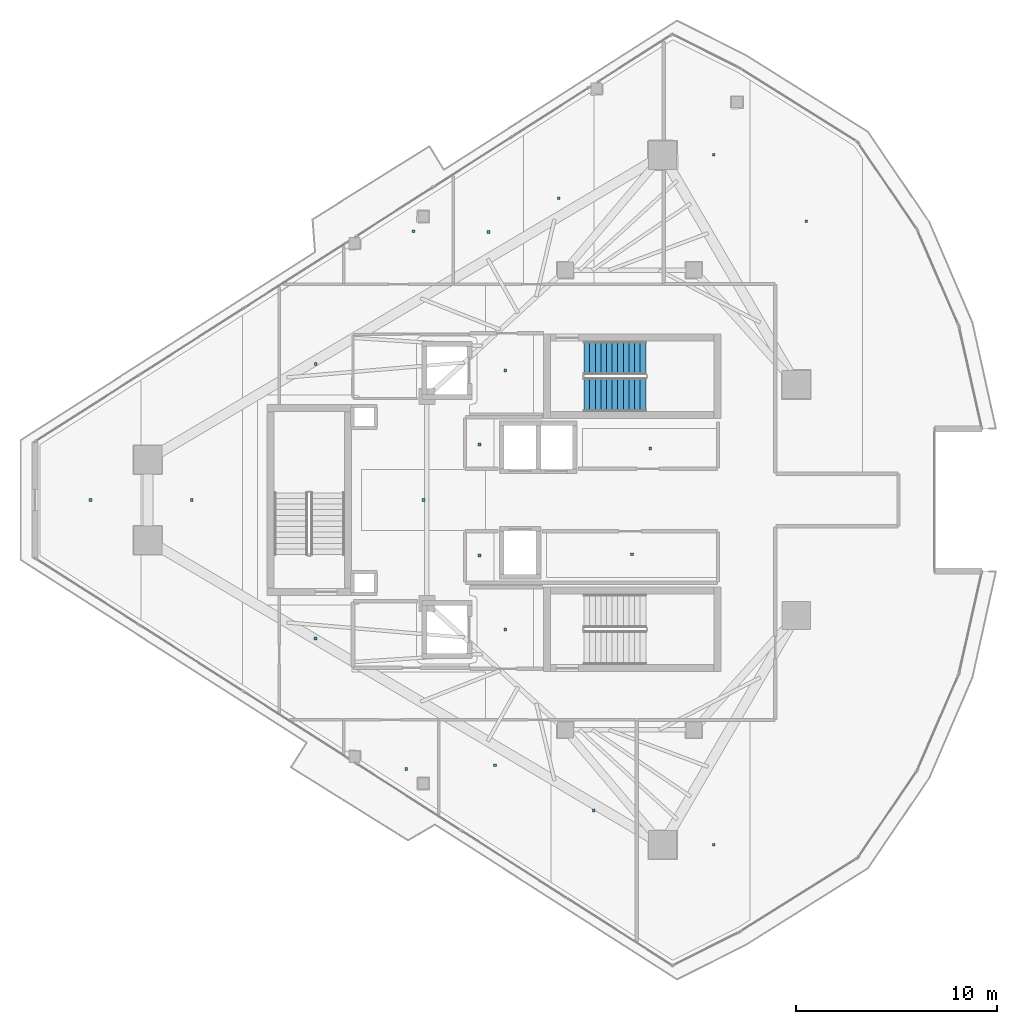
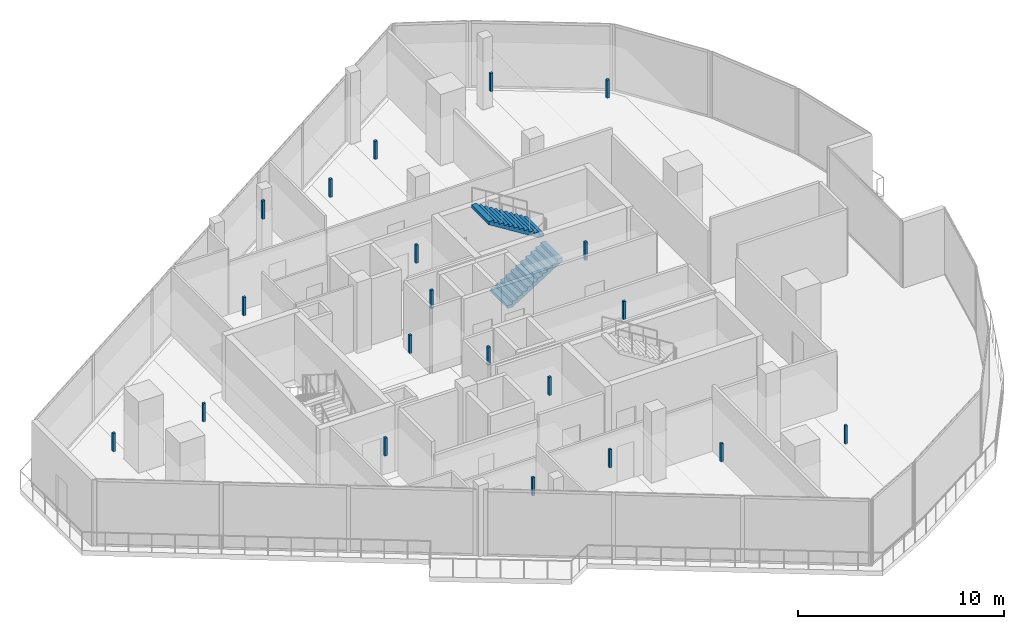
# One storey, part 22 of 27: 20 discrete accessories, 2 stair flights, 1 element without a shape of its own.
"""IFC4 building model written with IfcOpenShell, lengths in metres."""

from ifc_helpers import new_model, si_unit, direction, frame, origin, origin_2d, place, context, subcontext, project, spatial, polyline, rectangle, outline, extrude, material, layer, layer_set, type_object, element, aggregate, save


model = new_model("IFC4")

# Units and contexts
model_context = context("Model", 3, precision=1e-05, world=origin(), true_north=direction((0.0, 1.0)))
body_context = subcontext(model_context, "Body", "Model", "MODEL_VIEW")
ifc_project = project(units=[si_unit("LENGTHUNIT", "METRE"), si_unit("AREAUNIT", "SQUARE_METRE"), si_unit("VOLUMEUNIT", "CUBIC_METRE"), si_unit("PLANEANGLEUNIT", "RADIAN"), si_unit("MASSUNIT", "GRAM", prefix="KILO")], contexts=[model_context])

# Site, building, storey
site_placement = place(None, origin())
site = spatial("IfcSite", under=ifc_project, at=site_placement, CompositionType="ELEMENT")
building_placement = place(site_placement, origin())
building = spatial("IfcBuilding", under=site, at=building_placement, Name="Qorvath Tower", CompositionType="ELEMENT")
storey_placement = place(building_placement, frame((0.0, 0.0, 293.39990234375)))
storey = spatial("IfcBuildingStorey", under=building, at=storey_placement, Name="L68", CompositionType="ELEMENT", Elevation=293.39990234375)

# Stair, stair flights
ifc_material_1 = material(Name="Concrete C50/60", Category="concrete")
stair_type = type_object("IfcStairType", Name="ST-H420", PredefinedType="HALF_TURN_STAIR", material=ifc_material_1)
stair_placement = place(storey_placement, origin())
stair = element("IfcStair", 1, at=stair_placement, inside=storey, type_object=stair_type, Name="L68 Tower Exit Stair 1", PredefinedType="HALF_TURN_STAIR")
ifc_material_2 = material(Name="Concrete C50/60", Category="concrete")
ifc_layer = layer(ifc_material_2, 0.14990234375)
ifc_layer_set = layer_set([ifc_layer], Name="SF-H420")
stair_flight_type = type_object("IfcStairFlightType", Name="SF-H420", PredefinedType="STRAIGHT", material=ifc_layer_set)
stair_flight_1_placement = place(storey_placement, frame((-22.669921875, 5.239990234375, 0.0), z_axis=(0.0, 0.0, 1.0), x_axis=(1.0, 0.0, 0.0)))
stair_flight_1 = element("IfcStairFlight", 2, at=stair_flight_1_placement, type_object=stair_flight_type, Name="TS1 flight 1", NumberOfRisers=12, NumberOfTreads=11, PredefinedType="STRAIGHT", RiserHeight=0.175, TreadLength=0.28, context=body_context, shape_type="SweptSolid", body=[
    extrude(outline(polyline([(0.0, 0.0), (0.0, 0.175048828125), (0.280029296875, 0.175048828125), (0.280029296875, 0.35009765625), (0.56005859375, 0.35009765625), (0.56005859375, 0.52490234375), (0.840087890625, 0.52490234375), (0.840087890625, 0.699951171875), (1.1201171875, 0.699951171875), (1.1201171875, 0.875), (1.39990234375, 0.875), (1.39990234375, 1.050048828125), (1.679931640625, 1.050048828125), (1.679931640625, 1.22509765625), (1.9599609375, 1.22509765625), (1.9599609375, 1.39990234375), (2.239990234375, 1.39990234375), (2.239990234375, 1.574951171875), (2.52001953125, 1.574951171875), (2.52001953125, 1.75), (2.800048828125, 1.75), (2.800048828125, 1.925048828125), (3.080078125, 1.925048828125), (3.080078125, 2.10009765625), (3.080078125, 1.748291015625), (0.28271484375, 0.0), (0.0, 0.0)])), frame((0.0, 0.83984375, 0.0), z_axis=(0.0, -1.0, 0.0), x_axis=(1.0, 0.0, 0.0)), (0.0, 0.0, 1.0), 1.679931640625),
])
stair_flight_2_placement = place(storey_placement, frame((-19.590087890625, 7.070068359375, 2.10009765625), z_axis=(0.0, 0.0, 1.0), x_axis=(-1.0, 0.0, 0.0)))
stair_flight_2 = element("IfcStairFlight", 3, at=stair_flight_2_placement, type_object=stair_flight_type, Name="TS1 flight 2", NumberOfRisers=12, NumberOfTreads=11, PredefinedType="STRAIGHT", RiserHeight=0.175, TreadLength=0.28, context=body_context, shape_type="SweptSolid", body=[
    extrude(outline(polyline([(0.0, 0.0), (0.0, 0.175048828125), (0.280029296875, 0.175048828125), (0.280029296875, 0.35009765625), (0.56005859375, 0.35009765625), (0.56005859375, 0.52490234375), (0.840087890625, 0.52490234375), (0.840087890625, 0.699951171875), (1.1201171875, 0.699951171875), (1.1201171875, 0.875), (1.39990234375, 0.875), (1.39990234375, 1.050048828125), (1.679931640625, 1.050048828125), (1.679931640625, 1.22509765625), (1.9599609375, 1.22509765625), (1.9599609375, 1.39990234375), (2.239990234375, 1.39990234375), (2.239990234375, 1.574951171875), (2.52001953125, 1.574951171875), (2.52001953125, 1.75), (2.800048828125, 1.75), (2.800048828125, 1.925048828125), (3.080078125, 1.925048828125), (3.080078125, 2.10009765625), (3.080078125, 1.748291015625), (0.28271484375, 0.0), (0.0, 0.0)])), frame((0.0, 0.83984375, 0.0), z_axis=(0.0, -1.0, 0.0), x_axis=(1.0, 0.0, 0.0)), (0.0, 0.0, 1.0), 1.679931640625),
])
aggregate(stair, [stair_flight_1, stair_flight_2])

# Discrete accessories
ifc_material_3 = material(Name="Galvanised steel bracket", Category="steel")
discrete_accessory_type = type_object("IfcDiscreteAccessoryType", Name="DA-BRACKET", PredefinedType="BRACKET", material=ifc_material_3)
for number, where, z_axis, x_axis, name in (
    (4, (-26.590087890625, 6.449951171875, 2.860107421875), (0.0, 0.0, 1.0), (1.0, 0.0, 0.0), "Acoustic Ceiling Suspension Hanger T1-L68-001"),
    (5, (-26.590087890625, -6.449951171875, 2.860107421875), (0.0, 0.0, 1.0), (1.0, 0.0, 0.0), "Acoustic Ceiling Suspension Hanger T1-L68-002"),
    (6, (-19.37255859375, 2.5625, 2.860107421875), (0.0, 0.0, 1.0), (1.0, 0.0, 0.0), "Acoustic Ceiling Suspension Hanger T1-L68-003"),
    (7, (-27.87744140625, 2.762451171875, 2.860107421875), (0.0, 0.0, 1.0), (1.0, 0.0, 0.0), "Acoustic Ceiling Suspension Hanger T1-L68-004"),
    (8, (-20.2724609375, -2.70751953125, 2.860107421875), (0.0, 0.0, 1.0), (1.0, 0.0, 0.0), "Acoustic Ceiling Suspension Hanger T1-L68-005"),
    (9, (-27.87744140625, -2.762451171875, 2.860107421875), (0.0, 0.0, 1.0), (1.0, 0.0, 0.0), "Acoustic Ceiling Suspension Hanger T1-L68-006"),
    (10, (-36.04150390625, -6.907958984375, 2.860107421875), (0.0, 0.0, 1.0), (1.0, 0.0, 0.0), "Acoustic Ceiling Suspension Hanger T1-L68-009"),
    (11, (-36.040283203125, 6.782470703125, 2.860107421875), (0.0, 0.0, 1.0), (1.0, 0.0, 0.0), "Acoustic Ceiling Suspension Hanger T1-L68-010"),
    (12, (-30.66357421875, 0.0, 2.860107421875), (0.0, 0.0, 1.0), (1.0, 0.0, 0.0), "Acoustic Ceiling Suspension Hanger T1-L68-011"),
    (13, (-47.2548828125, 0.0, 2.860107421875), (0.0, 0.0, 1.0), (1.0, 0.0, 0.0), "Acoustic Ceiling Suspension Hanger T1-L68-012"),
    (14, (-42.215087890625, 0.0, 2.860107421875), (0.0, 0.0, 1.0), (1.0, 0.0, 0.0), "Acoustic Ceiling Suspension Hanger T1-L68-013"),
    (15, (-16.20947265625, -17.175537109375, 2.860107421875), (0.0, 0.0, 1.0), (1.0, 0.0, 0.0), "Acoustic Ceiling Suspension Hanger T1-L68-015"),
    (16, (-16.205078125, 17.19677734375, 2.860107421875), (0.0, 0.0, 1.0), (1.0, 0.0, 0.0), "Acoustic Ceiling Suspension Hanger T1-L68-016"),
    (17, (-11.597900390625, 13.888671875, 2.860107421875), (0.0, 0.0, 1.0), (1.0, 0.0, 0.0), "Acoustic Ceiling Suspension Hanger T1-L68-017"),
    (18, (-31.166259765625, 13.389892578125, 2.860107421875), (0.0, 0.0, 1.0), (1.0, 0.0, 0.0), "Acoustic Ceiling Suspension Hanger T1-L68-018"),
    (19, (-27.423828125, 13.346435546875, 2.860107421875), (0.0, 0.0, 1.0), (1.0, 0.0, 0.0), "Acoustic Ceiling Suspension Hanger T1-L68-019"),
    (20, (-23.930908203125, 15.033447265625, 2.860107421875), (0.0, 0.0, 1.0), (1.0, 0.0, 0.0), "Acoustic Ceiling Suspension Hanger T1-L68-020"),
    (21, (-31.526123046875, -13.398681640625, 2.860107421875), (0.0, 0.0, 1.0), (1.0, 0.0, 0.0), "Acoustic Ceiling Suspension Hanger T1-L68-022"),
    (22, (-27.106201171875, -13.2119140625, 2.860107421875), (0.0, 0.0, 1.0), (1.0, 0.0, 0.0), "Acoustic Ceiling Suspension Hanger T1-L68-023"),
    (23, (-22.180908203125, -15.471435546875, 2.860107421875), (0.0, 0.0, 1.0), (1.0, 0.0, 0.0), "Acoustic Ceiling Suspension Hanger T1-L68-024"),
):
    element("IfcDiscreteAccessory", number, at=place(storey_placement, frame(where, z_axis=z_axis, x_axis=x_axis)), inside=storey, type_object=discrete_accessory_type, Name=name, PredefinedType="NOTDEFINED", context=body_context, shape_type="SweptSolid", body=[
        extrude(rectangle(XDim=0.139892578125, YDim=0.139892578125, at=origin_2d()), origin(), (0.0, 0.0, 1.0), 1.080078125),
    ])

save(model, "model.ifc")
